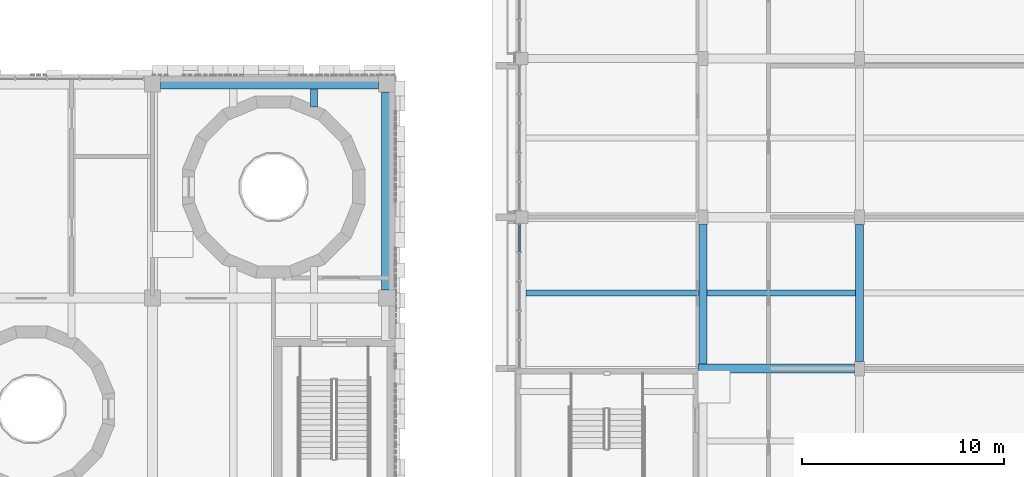
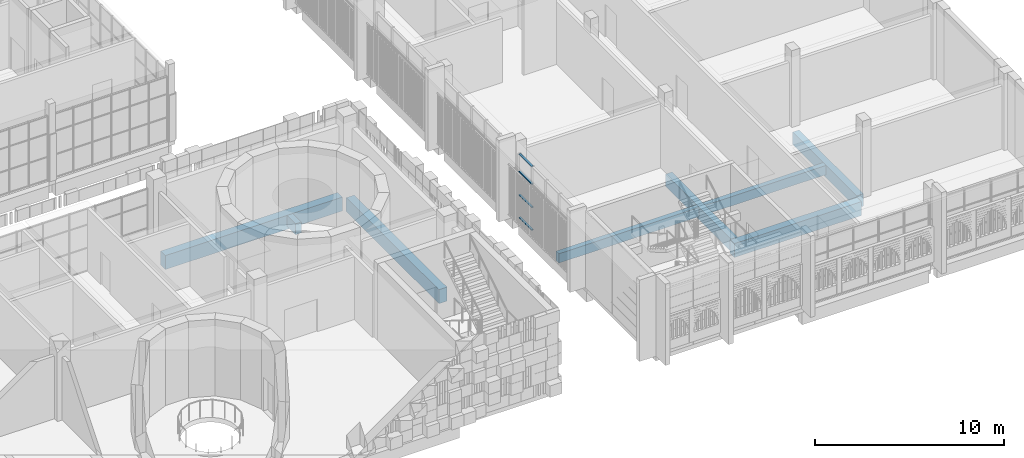
# One storey, part 31 of 125: 8 beams, 4 members, 1 element without a shape of its own.
"""IFC4 building model written with IfcOpenShell, lengths in metres."""

from ifc_helpers import new_model, si_unit, direction, frame, origin, origin_2d, place, context, subcontext, project, spatial, rectangle, hollow_rectangle, extrude, material, material_profile, profile_set, type_object, element, aggregate, save


model = new_model("IFC4")

# Units and contexts
model_context = context("Model", 3, precision=1e-05, world=origin(), true_north=direction((0.0, 1.0)))
body_context = subcontext(model_context, "Body", "Model", "MODEL_VIEW")
ifc_project = project(units=[si_unit("LENGTHUNIT", "METRE"), si_unit("AREAUNIT", "SQUARE_METRE"), si_unit("VOLUMEUNIT", "CUBIC_METRE"), si_unit("PLANEANGLEUNIT", "RADIAN"), si_unit("MASSUNIT", "GRAM", prefix="KILO")], contexts=[model_context])

# Site, building, storey
site_placement = place(None, origin())
site = spatial("IfcSite", under=ifc_project, at=site_placement, CompositionType="ELEMENT")
building_placement = place(site_placement, origin())
building = spatial("IfcBuilding", under=site, at=building_placement, Name="Sun Court Science Centre", CompositionType="ELEMENT")
storey_placement = place(building_placement, frame((0.0, 0.0, 6.0)))
storey = spatial("IfcBuildingStorey", under=building, at=storey_placement, Name="L01", CompositionType="ELEMENT", Elevation=6.0)

# Curtain wall, members
ifc_material_1 = material(Name="Aluminium EN AW-6063 T6", Category="aluminium")
curtain_wall_type = type_object("IfcCurtainWallType", Name="Laboratory tall bay curtain wall 1500", PredefinedType="NOTDEFINED", material=ifc_material_1)
curtain_wall_placement = place(storey_placement, origin())
curtain_wall = element("IfcCurtainWall", 1, at=curtain_wall_placement, inside=storey, type_object=curtain_wall_type, Name="Curtain wall V4 W L01 01", PredefinedType="NOTDEFINED")
ifc_material_2 = material(Name="Aluminium EN AW-6063 T6", Category="aluminium")
ifc_material_profile_1 = material_profile(ifc_material_2, hollow_rectangle(XDim=0.06005859375, YDim=0.1201171875, WallThickness=0.00390625, InnerFilletRadius=0.00390625, OuterFilletRadius=0.006103515625, at=origin_2d()), Name="AL 60x120x4")
ifc_profile_set_1 = profile_set([ifc_material_profile_1], Name="Aluminium EN AW-6063 T6")
member_type = type_object("IfcMemberType", Name="Curtain wall transom AL 60x120", PredefinedType="USERDEFINED", material=ifc_profile_set_1)
member_1_placement = place(storey_placement, frame((78.14990234375, 19.2900390625, 0.030029296875), z_axis=(0.0, 1.0, 0.0), x_axis=(0.0, 0.0, 1.0)))
member_1 = element("IfcMember", 2, at=member_1_placement, type_object=member_type, Name="CW2-10 transom 5.1", ObjectType="TRANSOM", PredefinedType="USERDEFINED", context=body_context, shape_type="SweptSolid", body=[
    extrude(hollow_rectangle(XDim=0.06005859375, YDim=0.1201171875, WallThickness=0.00390625, InnerFilletRadius=0.00390625, OuterFilletRadius=0.006103515625, at=origin_2d()), origin(), (0.0, 0.0, 1.0), 1.349853515625),
])
member_2_placement = place(storey_placement, frame((78.14990234375, 19.2900390625, 1.5), z_axis=(0.0, 1.0, 0.0), x_axis=(0.0, 0.0, 1.0)))
member_2 = element("IfcMember", 3, at=member_2_placement, type_object=member_type, Name="CW2-10 transom 5.2", ObjectType="TRANSOM", PredefinedType="USERDEFINED", context=body_context, shape_type="SweptSolid", body=[
    extrude(hollow_rectangle(XDim=0.06005859375, YDim=0.1201171875, WallThickness=0.00390625, InnerFilletRadius=0.00390625, OuterFilletRadius=0.006103515625, at=origin_2d()), origin(), (0.0, 0.0, 1.0), 1.349853515625),
])
member_3_placement = place(storey_placement, frame((78.14990234375, 19.2900390625, 3.0), z_axis=(0.0, 1.0, 0.0), x_axis=(0.0, 0.0, 1.0)))
member_3 = element("IfcMember", 4, at=member_3_placement, type_object=member_type, Name="CW2-10 transom 5.3", ObjectType="TRANSOM", PredefinedType="USERDEFINED", context=body_context, shape_type="SweptSolid", body=[
    extrude(hollow_rectangle(XDim=0.06005859375, YDim=0.1201171875, WallThickness=0.00390625, InnerFilletRadius=0.00390625, OuterFilletRadius=0.006103515625, at=origin_2d()), origin(), (0.0, 0.0, 1.0), 1.349853515625),
])
member_4_placement = place(storey_placement, frame((78.14990234375, 19.2900390625, 4.1201171875), z_axis=(0.0, 1.0, 0.0), x_axis=(0.0, 0.0, 1.0)))
member_4 = element("IfcMember", 5, at=member_4_placement, type_object=member_type, Name="CW2-10 transom 5.4", ObjectType="TRANSOM", PredefinedType="USERDEFINED", context=body_context, shape_type="SweptSolid", body=[
    extrude(hollow_rectangle(XDim=0.06005859375, YDim=0.1201171875, WallThickness=0.00390625, InnerFilletRadius=0.00390625, OuterFilletRadius=0.006103515625, at=origin_2d()), origin(), (0.0, 0.0, 1.0), 1.349853515625),
])
aggregate(curtain_wall, [member_1, member_2, member_3, member_4])

# Beams
ifc_material_3 = material(Name="Concrete C25/30", Category="concrete")
ifc_material_profile_2 = material_profile(ifc_material_3, rectangle(XDim=0.39990234375, YDim=0.800048828125, at=origin_2d()), Name="RC 400x800")
ifc_profile_set_2 = profile_set([ifc_material_profile_2], Name="Concrete C25/30")
beam_type_1 = type_object("IfcBeamType", Name="RC girder 400x800", PredefinedType="BEAM", material=ifc_profile_set_2)
beam_1_placement = place(storey_placement, frame((87.25, 13.72509765625, -0.699951171875), z_axis=(0.0, 1.0, 0.0), x_axis=(-1.0, 0.0, 0.0)))
element("IfcBeam", 6, at=beam_1_placement, inside=storey, type_object=beam_type_1, Name="Girder L01 line 2", PredefinedType="BEAM", context=body_context, shape_type="SweptSolid", body=[
    extrude(rectangle(XDim=0.39990234375, YDim=0.800048828125, at=origin_2d()), origin(), (0.0, 0.0, 1.0), 6.9248046875),
])
beam_2_placement = place(storey_placement, frame((95.0, 13.85009765625, -0.699951171875), z_axis=(0.0, 1.0, 0.0), x_axis=(-1.0, 0.0, 0.0)))
element("IfcBeam", 7, at=beam_2_placement, inside=storey, type_object=beam_type_1, Name="Girder L01 line 3", PredefinedType="BEAM", context=body_context, shape_type="SweptSolid", body=[
    extrude(rectangle(XDim=0.39990234375, YDim=0.800048828125, at=origin_2d()), origin(), (0.0, 0.0, 1.0), 6.7998046875),
])
ifc_material_4 = material(Name="Concrete C25/30", Category="concrete")
ifc_material_profile_3 = material_profile(ifc_material_4, rectangle(XDim=0.449951171875, YDim=0.89990234375, at=origin_2d()), Name="RC 450x900")
ifc_profile_set_3 = profile_set([ifc_material_profile_3], Name="Concrete C25/30")
beam_type_2 = type_object("IfcBeamType", Name="RC girder 450x900", PredefinedType="BEAM", material=ifc_profile_set_3)
beam_3_placement = place(storey_placement, frame((87.0, 13.5, -0.75), z_axis=(1.0, 0.0, 0.0), x_axis=(0.0, 1.0, 0.0)))
element("IfcBeam", 8, at=beam_3_placement, inside=storey, type_object=beam_type_2, Name="Girder L01 row 2", PredefinedType="BEAM", context=body_context, shape_type="SweptSolid", body=[
    extrude(rectangle(XDim=0.449951171875, YDim=0.89990234375, at=origin_2d()), origin(), (0.0, 0.0, 1.0), 7.75),
])
ifc_material_5 = material(Name="Concrete C25/30", Category="concrete")
ifc_material_profile_4 = material_profile(ifc_material_5, rectangle(XDim=0.5, YDim=0.89990234375, at=origin_2d()), Name="RC 500x900")
ifc_profile_set_4 = profile_set([ifc_material_profile_4], Name="Concrete C25/30")
beam_type_3 = type_object("IfcBeamType", Name="RC girder 500x900", PredefinedType="BEAM", material=ifc_profile_set_4)
beam_4_placement = place(storey_placement, frame((60.39990234375, 27.60009765625, -0.75), z_axis=(1.0, 0.0, 0.0), x_axis=(0.0, 1.0, 0.0)))
element("IfcBeam", 9, at=beam_4_placement, inside=storey, type_object=beam_type_3, Name="Girder L01 line 3", PredefinedType="BEAM", context=body_context, shape_type="SweptSolid", body=[
    extrude(rectangle(XDim=0.5, YDim=0.89990234375, at=origin_2d()), origin(), (0.0, 0.0, 1.0), 10.800048828125),
])
beam_5_placement = place(storey_placement, frame((71.60009765625, 17.39990234375, -0.75), z_axis=(0.0, 1.0, 0.0), x_axis=(-1.0, 0.0, 0.0)))
element("IfcBeam", 10, at=beam_5_placement, inside=storey, type_object=beam_type_3, Name="Girder L01 line G", PredefinedType="BEAM", context=body_context, shape_type="SweptSolid", body=[
    extrude(rectangle(XDim=0.5, YDim=0.89990234375, at=origin_2d()), origin(), (0.0, 0.0, 1.0), 9.800048828125),
])
ifc_material_6 = material(Name="Concrete C25/30", Category="concrete")
ifc_material_profile_5 = material_profile(ifc_material_6, rectangle(XDim=0.300048828125, YDim=0.60009765625, at=origin_2d()), Name="RC 300x600")
ifc_profile_set_5 = profile_set([ifc_material_profile_5], Name="Concrete C25/30")
beam_type_4 = type_object("IfcBeamType", Name="RC joist 300x600", PredefinedType="JOIST", material=ifc_profile_set_5)
beam_6_placement = place(storey_placement, frame((78.5, 17.25, -0.60009765625), z_axis=(1.0, 0.0, 0.0), x_axis=(0.0, 1.0, 0.0)))
element("IfcBeam", 11, at=beam_6_placement, inside=storey, type_object=beam_type_4, Name="Joist L01", PredefinedType="JOIST", context=body_context, shape_type="SweptSolid", body=[
    extrude(rectangle(XDim=0.300048828125, YDim=0.60009765625, at=origin_2d()), origin(), (0.0, 0.0, 1.0), 8.550048828125),
])
beam_7_placement = place(storey_placement, frame((87.449951171875, 17.25, -0.60009765625), z_axis=(1.0, 0.0, 0.0), x_axis=(0.0, 1.0, 0.0)))
element("IfcBeam", 12, at=beam_7_placement, inside=storey, type_object=beam_type_4, Name="Joist L01", PredefinedType="JOIST", context=body_context, shape_type="SweptSolid", body=[
    extrude(rectangle(XDim=0.300048828125, YDim=0.60009765625, at=origin_2d()), origin(), (0.0, 0.0, 1.0), 7.35009765625),
])
ifc_material_7 = material(Name="Concrete C25/30", Category="concrete")
ifc_material_profile_6 = material_profile(ifc_material_7, rectangle(XDim=0.35009765625, YDim=0.699951171875, at=origin_2d()), Name="RC 350x700")
ifc_profile_set_6 = profile_set([ifc_material_profile_6], Name="Concrete C25/30")
beam_type_5 = type_object("IfcBeamType", Name="RC joist 350x700", PredefinedType="JOIST", material=ifc_profile_set_6)
beam_8_placement = place(storey_placement, frame((68.0, 26.44677734375, -0.64990234375), z_axis=(0.0, 1.0, 0.0), x_axis=(-1.0, 0.0, 0.0)))
element("IfcBeam", 13, at=beam_8_placement, inside=storey, type_object=beam_type_5, Name="Joist L01", PredefinedType="JOIST", context=body_context, shape_type="SweptSolid", body=[
    extrude(rectangle(XDim=0.35009765625, YDim=0.699951171875, at=origin_2d()), origin(), (0.0, 0.0, 1.0), 0.9033203125),
])

save(model, "model.ifc")
